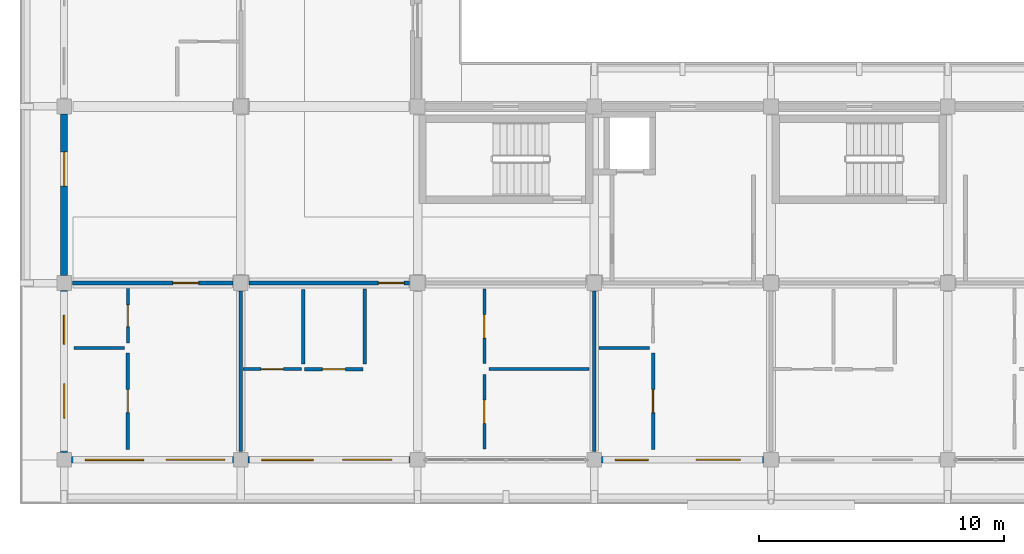
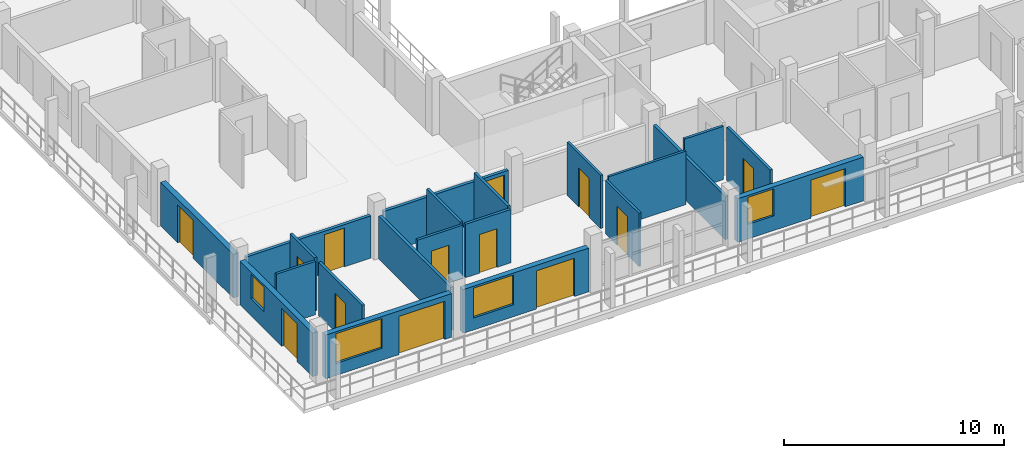
# One storey, part 113 of 157: 21 walls, 14 doors, 4 windows, 18 openings.
"""IFC4 building model written with IfcOpenShell, lengths in metres."""

from ifc_helpers import new_model, si_unit, direction, frame, frame_2d, origin, place, context, subcontext, project, spatial, rectangle, extrude, material, layer, layer_set, type_object, element, fill, save


model = new_model("IFC4")

# Units and contexts
model_context = context("Model", 3, precision=1e-05, world=origin(), true_north=direction((0.0, 1.0)))
body_context = subcontext(model_context, "Body", "Model", "MODEL_VIEW")
ifc_project = project(units=[si_unit("LENGTHUNIT", "METRE"), si_unit("AREAUNIT", "SQUARE_METRE"), si_unit("VOLUMEUNIT", "CUBIC_METRE"), si_unit("PLANEANGLEUNIT", "RADIAN"), si_unit("MASSUNIT", "GRAM", prefix="KILO")], contexts=[model_context])

# Site, building, storey
site_placement = place(None, origin())
site = spatial("IfcSite", under=ifc_project, at=site_placement, CompositionType="ELEMENT")
building_placement = place(site_placement, origin())
building = spatial("IfcBuilding", under=site, at=building_placement, Name="Suanplinth Sawtooth Commons", CompositionType="ELEMENT")
storey_placement = place(building_placement, frame((0.0, 0.0, 9.0)))
storey = spatial("IfcBuildingStorey", under=building, at=storey_placement, Name="L02", CompositionType="ELEMENT", Elevation=9.0)

# Wall, openings, door, window
ifc_material_1 = material(Name="Precast concrete C40/50", Category="concrete")
ifc_layer_1 = layer(ifc_material_1, 0.280029296875, Name="Insulated precast architectural facade wall 280mm")
ifc_layer_set_1 = layer_set([ifc_layer_1], Name="Precast concrete C40/50")
wall_type_1 = type_object("IfcWallType", Name="W-EX01", PredefinedType="ELEMENTEDWALL", material=ifc_layer_set_1)
wall_1_placement = place(storey_placement, frame((0.300048828125, 0.0, 0.0), z_axis=(0.0, 0.0, 1.0), x_axis=(1.0, 0.0, 0.0)))
wall_1 = element("IfcWall", 1, at=wall_1_placement, inside=storey, type_object=wall_type_1, Name="Facade Wall W-L02-D-S-0-0", PredefinedType="ELEMENTEDWALL", context=body_context, shape_type="SweptSolid", body=[
    extrude(rectangle(XDim=6.599853515625, YDim=0.280029296875, at=frame_2d((3.2998046875, 0.0))), origin(), (0.0, 0.0, 1.0), 2.425048828125),
])
opening_1_placement = place(wall_1_placement, frame((3.85009765625, 0.0, 0.0)))
opening_1 = element("IfcOpeningElement", 2, at=opening_1_placement, cuts=wall_1, Name="Opening ED0199", PredefinedType="OPENING", context=body_context, shape_type="SweptSolid", body=[
    extrude(rectangle(XDim=2.39990234375, YDim=2.1201171875, at=frame_2d((1.199951171875, 1.06005859375))), frame((0.0, 0.15478515625, 0.0), z_axis=(0.0, -1.0, 0.0), x_axis=(1.0, 0.0, 0.0)), (0.0, 0.0, 1.0), 0.309814453125),
])
opening_2_placement = place(wall_1_placement, frame((0.550048828125, 0.0, 0.6650390625)))
opening_2 = element("IfcOpeningElement", 3, at=opening_2_placement, cuts=wall_1, Name="Opening W0312", PredefinedType="OPENING", context=body_context, shape_type="SweptSolid", body=[
    extrude(rectangle(XDim=2.39990234375, YDim=1.64990234375, at=frame_2d((1.199951171875, 0.824951171875))), frame((0.0, 0.15478515625, 0.0), z_axis=(0.0, -1.0, 0.0), x_axis=(1.0, 0.0, 0.0)), (0.0, 0.0, 1.0), 0.309814453125),
])
ifc_material_2 = material(Name="Anodized aluminium and low-E glass", Category="aluminium")
door_type_1 = type_object("IfcDoorType", Name="SD-04", OperationType="DOUBLE_DOOR_SLIDING", PredefinedType="DOOR", material=ifc_material_2)
door_1_placement = place(opening_1_placement, frame((2.39990234375, 0.0, 0.0), z_axis=(0.0, 0.0, 1.0), x_axis=(-1.0, 0.0, 0.0)))
door_1 = element("IfcDoor", 4, at=door_1_placement, inside=storey, type_object=door_type_1, Name="Balcony Sliding Door L02-D-0", OperationType="DOUBLE_DOOR_SLIDING", OverallHeight=2.1201171875, OverallWidth=2.39990234375, PredefinedType="DOOR", context=body_context, shape_type="SweptSolid", body=[
    extrude(rectangle(XDim=2.39990234375, YDim=2.1201171875, at=frame_2d((1.199951171875, 1.06005859375))), frame((0.0, 0.02490234375, 0.0), z_axis=(0.0, -1.0, 0.0), x_axis=(1.0, 0.0, 0.0)), (0.0, 0.0, 1.0), 0.050048828125),
])
fill(opening_1, door_1)
ifc_material_3 = material(Name="Thermally broken aluminium and low-E double glazing", Category="aluminium")
window_type_1 = type_object("IfcWindowType", Name="WN-05", PartitioningType="TRIPLE_PANEL_VERTICAL", PredefinedType="WINDOW", material=ifc_material_3)
window_1_placement = place(opening_2_placement, origin())
window_1 = element("IfcWindow", 5, at=window_1_placement, inside=storey, type_object=window_type_1, Name="Apartment Window L02-D-0", OverallHeight=1.64990234375, OverallWidth=2.39990234375, PartitioningType="TRIPLE_PANEL_VERTICAL", PredefinedType="WINDOW", context=body_context, shape_type="SweptSolid", body=[
    extrude(rectangle(XDim=2.39990234375, YDim=1.64990234375, at=frame_2d((1.199951171875, 0.824951171875))), frame((0.0, 0.030029296875, 0.0), z_axis=(0.0, -1.0, 0.0), x_axis=(1.0, 0.0, 0.0)), (0.0, 0.0, 1.0), 0.06005859375),
])
fill(opening_2, window_1)

wall_2_placement = place(storey_placement, frame((0.0, 0.300048828125, 0.0), z_axis=(0.0, 0.0, 1.0), x_axis=(0.0, 1.0, 0.0)))
wall_2 = element("IfcWall", 6, at=wall_2_placement, inside=storey, type_object=wall_type_1, Name="Facade Wall W-L02-D-W-0-0", PredefinedType="ELEMENTEDWALL", context=body_context, shape_type="SweptSolid", body=[
    extrude(rectangle(XDim=6.599853515625, YDim=0.280029296875, at=frame_2d((3.2998046875, 0.0))), origin(), (0.0, 0.0, 1.0), 2.425048828125),
])
opening_3_placement = place(wall_2_placement, frame((1.39990234375, 0.0, 0.0)))
opening_3 = element("IfcOpeningElement", 7, at=opening_3_placement, cuts=wall_2, Name="Opening ED0200", PredefinedType="OPENING", context=body_context, shape_type="SweptSolid", body=[
    extrude(rectangle(XDim=1.39990234375, YDim=2.10009765625, at=frame_2d((0.699951171875, 1.050048828125))), frame((0.0, 0.15478515625, 0.0), z_axis=(0.0, -1.0, 0.0), x_axis=(1.0, 0.0, 0.0)), (0.0, 0.0, 1.0), 0.309814453125),
])
opening_4_placement = place(wall_2_placement, frame((4.39990234375, 0.0, 0.949951171875)))
opening_4 = element("IfcOpeningElement", 8, at=opening_4_placement, cuts=wall_2, Name="Opening W0313", PredefinedType="OPENING", context=body_context, shape_type="SweptSolid", body=[
    extrude(rectangle(XDim=1.199951171875, YDim=1.35009765625, at=frame_2d((0.60009765625, 0.675048828125))), frame((0.0, 0.15478515625, 0.0), z_axis=(0.0, -1.0, 0.0), x_axis=(1.0, 0.0, 0.0)), (0.0, 0.0, 1.0), 0.309814453125),
])
door_type_2 = type_object("IfcDoorType", Name="SD-07", OperationType="SLIDING_TO_RIGHT", PredefinedType="DOOR", material=ifc_material_2)
door_2_placement = place(opening_3_placement, frame((1.39990234375, 0.0, 0.0), z_axis=(0.0, 0.0, 1.0), x_axis=(-1.0, 0.0, 0.0)))
door_2 = element("IfcDoor", 9, at=door_2_placement, inside=storey, type_object=door_type_2, Name="End Balcony Sliding Door L02-D-W-0-0", OperationType="SLIDING_TO_RIGHT", OverallHeight=2.10009765625, OverallWidth=1.39990234375, PredefinedType="DOOR", context=body_context, shape_type="SweptSolid", body=[
    extrude(rectangle(XDim=1.39990234375, YDim=2.10009765625, at=frame_2d((0.699951171875, 1.050048828125))), frame((0.0, 0.02490234375, 0.0), z_axis=(0.0, -1.0, 0.0), x_axis=(1.0, 0.0, 0.0)), (0.0, 0.0, 1.0), 0.050048828125),
])
fill(opening_3, door_2)
window_type_2 = type_object("IfcWindowType", Name="WN-03", PartitioningType="SINGLE_PANEL", PredefinedType="WINDOW", material=ifc_material_3)
window_2_placement = place(opening_4_placement, origin())
window_2 = element("IfcWindow", 10, at=window_2_placement, inside=storey, type_object=window_type_2, Name="End Bedroom Window L02-D-0-0", OverallHeight=1.35009765625, OverallWidth=1.199951171875, PartitioningType="SINGLE_PANEL", PredefinedType="WINDOW", context=body_context, shape_type="SweptSolid", body=[
    extrude(rectangle(XDim=1.199951171875, YDim=1.35009765625, at=frame_2d((0.60009765625, 0.675048828125))), frame((0.0, 0.030029296875, 0.0), z_axis=(0.0, -1.0, 0.0), x_axis=(1.0, 0.0, 0.0)), (0.0, 0.0, 1.0), 0.06005859375),
])
fill(opening_4, window_2)

# Wall, opening, door
wall_3_placement = place(storey_placement, frame((0.0, 7.5, 0.0), z_axis=(0.0, 0.0, 1.0), x_axis=(0.0, 1.0, 0.0)))
wall_3 = element("IfcWall", 11, at=wall_3_placement, inside=storey, type_object=wall_type_1, Name="Facade Wall W-L02-D-W-0-1", PredefinedType="ELEMENTEDWALL", context=body_context, shape_type="SweptSolid", body=[
    extrude(rectangle(XDim=6.60009765625, YDim=0.280029296875, at=frame_2d((3.300048828125, 0.0))), origin(), (0.0, 0.0, 1.0), 2.425048828125),
])
opening_5_placement = place(wall_3_placement, frame((3.64990234375, 0.0, 0.0)))
opening_5 = element("IfcOpeningElement", 12, at=opening_5_placement, cuts=wall_3, Name="Opening ED0201", PredefinedType="OPENING", context=body_context, shape_type="SweptSolid", body=[
    extrude(rectangle(XDim=1.39990234375, YDim=2.10009765625, at=frame_2d((0.699951171875, 1.050048828125))), frame((0.0, 0.15478515625, 0.0), z_axis=(0.0, -1.0, 0.0), x_axis=(1.0, 0.0, 0.0)), (0.0, 0.0, 1.0), 0.309814453125),
])
door_3_placement = place(opening_5_placement, frame((1.39990234375, 0.0, 0.0), z_axis=(0.0, 0.0, 1.0), x_axis=(-1.0, 0.0, 0.0)))
door_3 = element("IfcDoor", 13, at=door_3_placement, inside=storey, type_object=door_type_2, Name="End Balcony Sliding Door L02-D-W-0-1", OperationType="SLIDING_TO_RIGHT", OverallHeight=2.10009765625, OverallWidth=1.39990234375, PredefinedType="DOOR", context=body_context, shape_type="SweptSolid", body=[
    extrude(rectangle(XDim=1.39990234375, YDim=2.10009765625, at=frame_2d((0.699951171875, 1.050048828125))), frame((0.0, 0.02490234375, 0.0), z_axis=(0.0, -1.0, 0.0), x_axis=(1.0, 0.0, 0.0)), (0.0, 0.0, 1.0), 0.050048828125),
])
fill(opening_5, door_3)

# Wall, openings, door, window
wall_4_placement = place(storey_placement, frame((7.5, 0.0, 0.0), z_axis=(0.0, 0.0, 1.0), x_axis=(1.0, 0.0, 0.0)))
wall_4 = element("IfcWall", 14, at=wall_4_placement, inside=storey, type_object=wall_type_1, Name="Facade Wall W-L02-D-S-1-0", PredefinedType="ELEMENTEDWALL", context=body_context, shape_type="SweptSolid", body=[
    extrude(rectangle(XDim=6.60009765625, YDim=0.280029296875, at=frame_2d((3.300048828125, 0.0))), origin(), (0.0, 0.0, 1.0), 2.425048828125),
])
opening_6_placement = place(wall_4_placement, frame((3.85009765625, 0.0, 0.0)))
opening_6 = element("IfcOpeningElement", 15, at=opening_6_placement, cuts=wall_4, Name="Opening ED0207", PredefinedType="OPENING", context=body_context, shape_type="SweptSolid", body=[
    extrude(rectangle(XDim=2.0, YDim=2.1201171875, at=frame_2d((1.0, 1.06005859375))), frame((0.0, 0.15478515625, 0.0), z_axis=(0.0, -1.0, 0.0), x_axis=(1.0, 0.0, 0.0)), (0.0, 0.0, 1.0), 0.309814453125),
])
opening_7_placement = place(wall_4_placement, frame((0.550048828125, 0.0, 0.6650390625)))
opening_7 = element("IfcOpeningElement", 16, at=opening_7_placement, cuts=wall_4, Name="Opening W0318", PredefinedType="OPENING", context=body_context, shape_type="SweptSolid", body=[
    extrude(rectangle(XDim=2.10009765625, YDim=1.64990234375, at=frame_2d((1.050048828125, 0.824951171875))), frame((0.0, 0.15478515625, 0.0), z_axis=(0.0, -1.0, 0.0), x_axis=(1.0, 0.0, 0.0)), (0.0, 0.0, 1.0), 0.309814453125),
])
door_type_3 = type_object("IfcDoorType", Name="SD-06", OperationType="DOUBLE_DOOR_SLIDING", PredefinedType="DOOR", material=ifc_material_2)
door_4_placement = place(opening_6_placement, frame((2.0, 0.0, 0.0), z_axis=(0.0, 0.0, 1.0), x_axis=(-1.0, 0.0, 0.0)))
door_4 = element("IfcDoor", 17, at=door_4_placement, inside=storey, type_object=door_type_3, Name="Balcony Sliding Door L02-D-1", OperationType="DOUBLE_DOOR_SLIDING", OverallHeight=2.1201171875, OverallWidth=2.0, PredefinedType="DOOR", context=body_context, shape_type="SweptSolid", body=[
    extrude(rectangle(XDim=2.0, YDim=2.1201171875, at=frame_2d((1.0, 1.06005859375))), frame((0.0, 0.02490234375, 0.0), z_axis=(0.0, -1.0, 0.0), x_axis=(1.0, 0.0, 0.0)), (0.0, 0.0, 1.0), 0.050048828125),
])
fill(opening_6, door_4)
window_type_3 = type_object("IfcWindowType", Name="WN-06", PartitioningType="DOUBLE_PANEL_VERTICAL", PredefinedType="WINDOW", material=ifc_material_3)
window_3_placement = place(opening_7_placement, origin())
window_3 = element("IfcWindow", 18, at=window_3_placement, inside=storey, type_object=window_type_3, Name="Apartment Window L02-D-1", OverallHeight=1.64990234375, OverallWidth=2.10009765625, PartitioningType="DOUBLE_PANEL_VERTICAL", PredefinedType="WINDOW", context=body_context, shape_type="SweptSolid", body=[
    extrude(rectangle(XDim=2.10009765625, YDim=1.64990234375, at=frame_2d((1.050048828125, 0.824951171875))), frame((0.0, 0.030029296875, 0.0), z_axis=(0.0, -1.0, 0.0), x_axis=(1.0, 0.0, 0.0)), (0.0, 0.0, 1.0), 0.06005859375),
])
fill(opening_7, window_3)

wall_5_placement = place(storey_placement, frame((21.89990234375, 0.0, 0.0), z_axis=(0.0, 0.0, 1.0), x_axis=(1.0, 0.0, 0.0)))
wall_5 = element("IfcWall", 19, at=wall_5_placement, inside=storey, type_object=wall_type_1, Name="Facade Wall W-L02-D-S-3-0", PredefinedType="ELEMENTEDWALL", context=body_context, shape_type="SweptSolid", body=[
    extrude(rectangle(XDim=6.60009765625, YDim=0.280029296875, at=frame_2d((3.300048828125, 0.0))), origin(), (0.0, 0.0, 1.0), 2.425048828125),
])
opening_8_placement = place(wall_5_placement, frame((3.85009765625, 0.0, 0.0)))
opening_8 = element("IfcOpeningElement", 20, at=opening_8_placement, cuts=wall_5, Name="Opening ED0212", PredefinedType="OPENING", context=body_context, shape_type="SweptSolid", body=[
    extrude(rectangle(XDim=1.800048828125, YDim=2.1201171875, at=frame_2d((0.89990234375, 1.06005859375))), frame((0.0, 0.15478515625, 0.0), z_axis=(0.0, -1.0, 0.0), x_axis=(1.0, 0.0, 0.0)), (0.0, 0.0, 1.0), 0.309814453125),
])
opening_9_placement = place(wall_5_placement, frame((0.550048828125, 0.0, 0.81494140625)))
opening_9 = element("IfcOpeningElement", 21, at=opening_9_placement, cuts=wall_5, Name="Opening W0321", PredefinedType="OPENING", context=body_context, shape_type="SweptSolid", body=[
    extrude(rectangle(XDim=1.35009765625, YDim=1.5, at=frame_2d((0.675048828125, 0.75))), frame((0.0, 0.15478515625, 0.0), z_axis=(0.0, -1.0, 0.0), x_axis=(1.0, 0.0, 0.0)), (0.0, 0.0, 1.0), 0.309814453125),
])
door_type_4 = type_object("IfcDoorType", Name="SD-01", OperationType="SLIDING_TO_LEFT", PredefinedType="DOOR", material=ifc_material_2)
door_5_placement = place(opening_8_placement, frame((1.800048828125, 0.0, 0.0), z_axis=(0.0, 0.0, 1.0), x_axis=(-1.0, 0.0, 0.0)))
door_5 = element("IfcDoor", 22, at=door_5_placement, inside=storey, type_object=door_type_4, Name="Balcony Sliding Door L02-D-3", OperationType="SLIDING_TO_LEFT", OverallHeight=2.1201171875, OverallWidth=1.800048828125, PredefinedType="DOOR", context=body_context, shape_type="SweptSolid", body=[
    extrude(rectangle(XDim=1.800048828125, YDim=2.1201171875, at=frame_2d((0.89990234375, 1.06005859375))), frame((0.0, 0.02490234375, 0.0), z_axis=(0.0, -1.0, 0.0), x_axis=(1.0, 0.0, 0.0)), (0.0, 0.0, 1.0), 0.050048828125),
])
fill(opening_8, door_5)
window_type_4 = type_object("IfcWindowType", Name="WN-14", PartitioningType="SINGLE_PANEL", PredefinedType="WINDOW", material=ifc_material_3)
window_4_placement = place(opening_9_placement, origin())
window_4 = element("IfcWindow", 23, at=window_4_placement, inside=storey, type_object=window_type_4, Name="Apartment Window L02-D-3", OverallHeight=1.5, OverallWidth=1.35009765625, PartitioningType="SINGLE_PANEL", PredefinedType="WINDOW", context=body_context, shape_type="SweptSolid", body=[
    extrude(rectangle(XDim=1.35009765625, YDim=1.5, at=frame_2d((0.675048828125, 0.75))), frame((0.0, 0.030029296875, 0.0), z_axis=(0.0, -1.0, 0.0), x_axis=(1.0, 0.0, 0.0)), (0.0, 0.0, 1.0), 0.06005859375),
])
fill(opening_9, window_4)

# Wall, opening, door
ifc_layer_2 = layer(ifc_material_1, 0.159912109375, Name="Fire-rated corridor and lobby wall 160mm")
ifc_layer_set_2 = layer_set([ifc_layer_2], Name="Precast concrete C40/50")
wall_type_2 = type_object("IfcWallType", Name="W-FW01", PredefinedType="PARTITIONING", material=ifc_layer_set_2)
wall_6_placement = place(storey_placement, frame((0.330078125, 7.199951171875, 0.0), z_axis=(0.0, 0.0, 1.0), x_axis=(1.0, 0.0, 0.0)))
wall_6 = element("IfcWall", 24, at=wall_6_placement, inside=storey, type_object=wall_type_2, Name="W-D-L02-U01-COR", PredefinedType="PARTITIONING", context=body_context, shape_type="SweptSolid", body=[
    extrude(rectangle(XDim=6.5400390625, YDim=0.159912109375, at=frame_2d((3.27001953125, 0.0))), origin(), (0.0, 0.0, 1.0), 2.344970703125),
])
opening_10_placement = place(wall_6_placement, frame((4.094970703125, 0.0, 0.0)))
opening_10 = element("IfcOpeningElement", 25, at=opening_10_placement, cuts=wall_6, Name="Opening FD0829", PredefinedType="OPENING", context=body_context, shape_type="SweptSolid", body=[
    extrude(rectangle(XDim=1.050048828125, YDim=2.14990234375, at=frame_2d((0.52490234375, 1.074951171875))), frame((0.0, 0.0947265625, 0.0), z_axis=(0.0, -1.0, 0.0), x_axis=(1.0, 0.0, 0.0)), (0.0, 0.0, 1.0), 0.189697265625),
])
ifc_material_4 = material(Name="Teak hardwood fire-rated door assembly", Category="wood")
door_type_5 = type_object("IfcDoorType", Name="FD-04", OperationType="NOTDEFINED", PredefinedType="DOOR", material=ifc_material_4)
door_6_placement = place(opening_10_placement, frame((1.050048828125, 0.0, 0.0), z_axis=(0.0, 0.0, 1.0), x_axis=(-1.0, 0.0, 0.0)))
door_6 = element("IfcDoor", 26, at=door_6_placement, inside=storey, type_object=door_type_5, Name="Unit Entrance Door FD0829", OperationType="SINGLE_SWING_LEFT", OverallHeight=2.14990234375, OverallWidth=1.050048828125, PredefinedType="DOOR", context=body_context, shape_type="SweptSolid", body=[
    extrude(rectangle(XDim=1.050048828125, YDim=2.14990234375, at=frame_2d((0.52490234375, 1.074951171875))), frame((0.0, 0.02490234375, 0.0), z_axis=(0.0, -1.0, 0.0), x_axis=(1.0, 0.0, 0.0)), (0.0, 0.0, 1.0), 0.050048828125),
])
fill(opening_10, door_6)

wall_7_placement = place(storey_placement, frame((7.530029296875, 7.199951171875, 0.0), z_axis=(0.0, 0.0, 1.0), x_axis=(1.0, 0.0, 0.0)))
wall_7 = element("IfcWall", 27, at=wall_7_placement, inside=storey, type_object=wall_type_2, Name="W-D-L02-U02-COR-S1", PredefinedType="PARTITIONING", context=body_context, shape_type="SweptSolid", body=[
    extrude(rectangle(XDim=6.5400390625, YDim=0.159912109375, at=frame_2d((3.27001953125, 0.0))), origin(), (0.0, 0.0, 1.0), 2.344970703125),
])
opening_11_placement = place(wall_7_placement, frame((5.27490234375, 0.0, 0.0)))
opening_11 = element("IfcOpeningElement", 28, at=opening_11_placement, cuts=wall_7, Name="Opening FD0832", PredefinedType="OPENING", context=body_context, shape_type="SweptSolid", body=[
    extrude(rectangle(XDim=1.050048828125, YDim=2.14990234375, at=frame_2d((0.52490234375, 1.074951171875))), frame((0.0, 0.0947265625, 0.0), z_axis=(0.0, -1.0, 0.0), x_axis=(1.0, 0.0, 0.0)), (0.0, 0.0, 1.0), 0.189697265625),
])
door_7_placement = place(opening_11_placement, frame((1.050048828125, 0.0, 0.0), z_axis=(0.0, 0.0, 1.0), x_axis=(-1.0, 0.0, 0.0)))
door_7 = element("IfcDoor", 29, at=door_7_placement, inside=storey, type_object=door_type_5, Name="Unit Entrance Door FD0832", OperationType="SINGLE_SWING_RIGHT", OverallHeight=2.14990234375, OverallWidth=1.050048828125, PredefinedType="DOOR", context=body_context, shape_type="SweptSolid", body=[
    extrude(rectangle(XDim=1.050048828125, YDim=2.14990234375, at=frame_2d((0.52490234375, 1.074951171875))), frame((0.0, 0.02490234375, 0.0), z_axis=(0.0, -1.0, 0.0), x_axis=(1.0, 0.0, 0.0)), (0.0, 0.0, 1.0), 0.050048828125),
])
fill(opening_11, door_7)

# Walls
ifc_layer_3 = layer(ifc_material_1, 0.14990234375, Name="Acoustic precast party demising wall 150mm")
ifc_layer_set_3 = layer_set([ifc_layer_3], Name="Precast concrete C40/50")
wall_type_3 = type_object("IfcWallType", Name="W-FW02", PredefinedType="PARTITIONING", material=ifc_layer_set_3)
for number, where, z_axis, x_axis, name in (
    (30, (7.199951171875, 0.330078125, 0.0), (0.0, 0.0, 1.0), (0.0, 1.0, 0.0), "W-D-L02-U01-PTY"),
    (31, (21.60009765625, 0.330078125, 0.0), (0.0, 0.0, 1.0), (0.0, 1.0, 0.0), "W-D-L02-U02-PTY"),
):
    element("IfcWall", number, at=place(storey_placement, frame(where, z_axis=z_axis, x_axis=x_axis)), inside=storey, type_object=wall_type_3, Name=name, PredefinedType="PARTITIONING", context=body_context, shape_type="SweptSolid", body=[
        extrude(rectangle(XDim=6.5400390625, YDim=0.14990234375, at=frame_2d((3.27001953125, 0.0))), origin(), (0.0, 0.0, 1.0), 2.39501953125),
    ])

# Wall, opening, door
ifc_material_5 = material(Name="Gypsum plasterboard on steel stud", Category="steel")
ifc_layer_4 = layer(ifc_material_5, 0.139892578125, Name="Fire-rated kitchen partition 140mm")
ifc_layer_set_4 = layer_set([ifc_layer_4], Name="Gypsum plasterboard on steel stud")
wall_type_4 = type_object("IfcWallType", Name="W-PT01", PredefinedType="PARTITIONING", material=ifc_layer_set_4)
wall_8_placement = place(storey_placement, frame((2.594970703125, 0.419921875, 0.0), z_axis=(0.0, 0.0, 1.0), x_axis=(0.0, 1.0, 0.0)))
wall_8 = element("IfcWall", 32, at=wall_8_placement, inside=storey, type_object=wall_type_4, Name="W-D-L02-U01-KITE", PredefinedType="PARTITIONING", context=body_context, shape_type="SweptSolid", body=[
    extrude(rectangle(XDim=3.940185546875, YDim=0.139892578125, at=frame_2d((1.97021484375, 0.0))), origin(), (0.0, 0.0, 1.0), 2.9599609375),
])
opening_12_placement = place(wall_8_placement, frame((1.5048828125, 0.0, 0.0)))
opening_12 = element("IfcOpeningElement", 33, at=opening_12_placement, cuts=wall_8, Name="Opening D0831", PredefinedType="OPENING", context=body_context, shape_type="SweptSolid", body=[
    extrude(rectangle(XDim=0.929931640625, YDim=2.139892578125, at=frame_2d((0.46484375, 1.06982421875))), frame((0.0, 0.0849609375, 0.0), z_axis=(0.0, -1.0, 0.0), x_axis=(1.0, 0.0, 0.0)), (0.0, 0.0, 1.0), 0.169677734375),
])
ifc_material_6 = material(Name="Teak hardwood", Category="wood")
door_type_6 = type_object("IfcDoorType", Name="D-19", OperationType="NOTDEFINED", PredefinedType="DOOR", material=ifc_material_6)
door_8_placement = place(opening_12_placement, origin())
door_8 = element("IfcDoor", 34, at=door_8_placement, inside=storey, type_object=door_type_6, Name="Kitchen Door D0831", OperationType="SINGLE_SWING_LEFT", OverallHeight=2.139892578125, OverallWidth=0.929931640625, PredefinedType="DOOR", context=body_context, shape_type="SweptSolid", body=[
    extrude(rectangle(XDim=0.929931640625, YDim=2.139892578125, at=frame_2d((0.46484375, 1.06982421875))), frame((0.0, 0.02490234375, 0.0), z_axis=(0.0, -1.0, 0.0), x_axis=(1.0, 0.0, 0.0)), (0.0, 0.0, 1.0), 0.050048828125),
])
fill(opening_12, door_8)

wall_9_placement = place(storey_placement, frame((9.800048828125, 3.68994140625, 0.0), z_axis=(0.0, 0.0, 1.0), x_axis=(1.0, 0.0, 0.0)))
wall_9 = element("IfcWall", 35, at=wall_9_placement, inside=storey, type_object=wall_type_4, Name="W-D-L02-U02-KIT1", PredefinedType="PARTITIONING", context=body_context, shape_type="SweptSolid", body=[
    extrude(rectangle(XDim=2.3798828125, YDim=0.139892578125, at=frame_2d((1.18994140625, 0.0))), origin(), (0.0, 0.0, 1.0), 2.9599609375),
])
opening_13_placement = place(wall_9_placement, frame((0.72509765625, 0.0, 0.0)))
opening_13 = element("IfcOpeningElement", 36, at=opening_13_placement, cuts=wall_9, Name="Opening D0834", PredefinedType="OPENING", context=body_context, shape_type="SweptSolid", body=[
    extrude(rectangle(XDim=0.929931640625, YDim=2.139892578125, at=frame_2d((0.46484375, 1.06982421875))), frame((0.0, 0.0849609375, 0.0), z_axis=(0.0, -1.0, 0.0), x_axis=(1.0, 0.0, 0.0)), (0.0, 0.0, 1.0), 0.169677734375),
])
door_9_placement = place(opening_13_placement, origin())
door_9 = element("IfcDoor", 37, at=door_9_placement, inside=storey, type_object=door_type_6, Name="Kitchen Door D0834", OperationType="SINGLE_SWING_RIGHT", OverallHeight=2.139892578125, OverallWidth=0.929931640625, PredefinedType="DOOR", context=body_context, shape_type="SweptSolid", body=[
    extrude(rectangle(XDim=0.929931640625, YDim=2.139892578125, at=frame_2d((0.46484375, 1.06982421875))), frame((0.0, 0.02490234375, 0.0), z_axis=(0.0, -1.0, 0.0), x_axis=(1.0, 0.0, 0.0)), (0.0, 0.0, 1.0), 0.050048828125),
])
fill(opening_13, door_9)

# Wall
wall_10_placement = place(storey_placement, frame((12.25, 3.909912109375, 0.0), z_axis=(0.0, 0.0, 1.0), x_axis=(0.0, 1.0, 0.0)))
element("IfcWall", 38, at=wall_10_placement, inside=storey, type_object=wall_type_4, Name="W-D-L02-U02-KIT2", PredefinedType="PARTITIONING", context=body_context, shape_type="SweptSolid", body=[
    extrude(rectangle(XDim=3.06005859375, YDim=0.139892578125, at=frame_2d((1.530029296875, 0.0))), origin(), (0.0, 0.0, 1.0), 2.9599609375),
])

# Wall, opening, door
wall_11_placement = place(storey_placement, frame((23.9951171875, 0.419921875, 0.0), z_axis=(0.0, 0.0, 1.0), x_axis=(0.0, 1.0, 0.0)))
wall_11 = element("IfcWall", 39, at=wall_11_placement, inside=storey, type_object=wall_type_4, Name="W-D-L02-U03-KITE", PredefinedType="PARTITIONING", context=body_context, shape_type="SweptSolid", body=[
    extrude(rectangle(XDim=3.940185546875, YDim=0.139892578125, at=frame_2d((1.97021484375, 0.0))), origin(), (0.0, 0.0, 1.0), 2.9599609375),
])
opening_14_placement = place(wall_11_placement, frame((1.5048828125, 0.0, 0.0)))
opening_14 = element("IfcOpeningElement", 40, at=opening_14_placement, cuts=wall_11, Name="Opening D0839", PredefinedType="OPENING", context=body_context, shape_type="SweptSolid", body=[
    extrude(rectangle(XDim=0.929931640625, YDim=2.139892578125, at=frame_2d((0.46484375, 1.06982421875))), frame((0.0, 0.0849609375, 0.0), z_axis=(0.0, -1.0, 0.0), x_axis=(1.0, 0.0, 0.0)), (0.0, 0.0, 1.0), 0.169677734375),
])
door_10_placement = place(opening_14_placement, origin())
door_10 = element("IfcDoor", 41, at=door_10_placement, inside=storey, type_object=door_type_6, Name="Kitchen Door D0839", OperationType="SINGLE_SWING_LEFT", OverallHeight=2.139892578125, OverallWidth=0.929931640625, PredefinedType="DOOR", context=body_context, shape_type="SweptSolid", body=[
    extrude(rectangle(XDim=0.929931640625, YDim=2.139892578125, at=frame_2d((0.46484375, 1.06982421875))), frame((0.0, 0.02490234375, 0.0), z_axis=(0.0, -1.0, 0.0), x_axis=(1.0, 0.0, 0.0)), (0.0, 0.0, 1.0), 0.050048828125),
])
fill(opening_14, door_10)

# Wall
ifc_layer_5 = layer(ifc_material_5, 0.1298828125, Name="Moisture-resistant bathroom partition 130mm")
ifc_layer_set_5 = layer_set([ifc_layer_5], Name="Gypsum plasterboard on steel stud")
wall_type_5 = type_object("IfcWallType", Name="W-PT02", PredefinedType="PARTITIONING", material=ifc_layer_set_5)
wall_12_placement = place(storey_placement, frame((0.39990234375, 4.56005859375, 0.0), z_axis=(0.0, 0.0, 1.0), x_axis=(1.0, 0.0, 0.0)))
element("IfcWall", 42, at=wall_12_placement, inside=storey, type_object=wall_type_5, Name="W-D-L02-U01-STDIV", PredefinedType="PARTITIONING", context=body_context, shape_type="SweptSolid", body=[
    extrude(rectangle(XDim=2.050048828125, YDim=0.1298828125, at=frame_2d((1.02490234375, 0.0))), origin(), (0.0, 0.0, 1.0), 2.9599609375),
])

# Wall, opening, door
wall_13_placement = place(storey_placement, frame((2.594970703125, 4.760009765625, 0.0), z_axis=(0.0, 0.0, 1.0), x_axis=(0.0, 1.0, 0.0)))
wall_13 = element("IfcWall", 43, at=wall_13_placement, inside=storey, type_object=wall_type_5, Name="W-D-L02-U01-BTHE", PredefinedType="PARTITIONING", context=body_context, shape_type="SweptSolid", body=[
    extrude(rectangle(XDim=2.219970703125, YDim=0.1298828125, at=frame_2d((1.10986328125, 0.0))), origin(), (0.0, 0.0, 1.0), 2.9599609375),
])
opening_15_placement = place(wall_13_placement, frame((0.669921875, 0.0, 0.0)))
opening_15 = element("IfcOpeningElement", 44, at=opening_15_placement, cuts=wall_13, Name="Opening D0830", PredefinedType="OPENING", context=body_context, shape_type="SweptSolid", body=[
    extrude(rectangle(XDim=0.8798828125, YDim=2.10009765625, at=frame_2d((0.43994140625, 1.050048828125))), frame((0.0, 0.079833984375, 0.0), z_axis=(0.0, -1.0, 0.0), x_axis=(1.0, 0.0, 0.0)), (0.0, 0.0, 1.0), 0.15966796875),
])
door_type_7 = type_object("IfcDoorType", Name="D-14", OperationType="NOTDEFINED", PredefinedType="DOOR", material=ifc_material_6)
door_11_placement = place(opening_15_placement, origin())
door_11 = element("IfcDoor", 45, at=door_11_placement, inside=storey, type_object=door_type_7, Name="Bathroom Door D0830", OperationType="SINGLE_SWING_RIGHT", OverallHeight=2.10009765625, OverallWidth=0.8798828125, PredefinedType="DOOR", context=body_context, shape_type="SweptSolid", body=[
    extrude(rectangle(XDim=0.8798828125, YDim=2.10009765625, at=frame_2d((0.43994140625, 1.050048828125))), frame((0.0, 0.02490234375, 0.0), z_axis=(0.0, -1.0, 0.0), x_axis=(1.0, 0.0, 0.0)), (0.0, 0.0, 1.0), 0.050048828125),
])
fill(opening_15, door_11)

wall_14_placement = place(storey_placement, frame((7.280029296875, 3.695068359375, 0.0), z_axis=(0.0, 0.0, 1.0), x_axis=(1.0, 0.0, 0.0)))
wall_14 = element("IfcWall", 46, at=wall_14_placement, inside=storey, type_object=wall_type_5, Name="W-D-L02-U02-BTH1", PredefinedType="PARTITIONING", context=body_context, shape_type="SweptSolid", body=[
    extrude(rectangle(XDim=2.39990234375, YDim=0.1298828125, at=frame_2d((1.199951171875, 0.0))), origin(), (0.0, 0.0, 1.0), 2.9599609375),
])
opening_16_placement = place(wall_14_placement, frame((0.75, 0.0, 0.0)))
opening_16 = element("IfcOpeningElement", 47, at=opening_16_placement, cuts=wall_14, Name="Opening D0833", PredefinedType="OPENING", context=body_context, shape_type="SweptSolid", body=[
    extrude(rectangle(XDim=0.89990234375, YDim=2.10009765625, at=frame_2d((0.449951171875, 1.050048828125))), frame((0.0, 0.079833984375, 0.0), z_axis=(0.0, -1.0, 0.0), x_axis=(1.0, 0.0, 0.0)), (0.0, 0.0, 1.0), 0.15966796875),
])
door_type_8 = type_object("IfcDoorType", Name="D-01", OperationType="NOTDEFINED", PredefinedType="DOOR", material=ifc_material_6)
door_12_placement = place(opening_16_placement, origin())
door_12 = element("IfcDoor", 48, at=door_12_placement, inside=storey, type_object=door_type_8, Name="Bathroom Door D0833", OperationType="SINGLE_SWING_LEFT", OverallHeight=2.10009765625, OverallWidth=0.89990234375, PredefinedType="DOOR", context=body_context, shape_type="SweptSolid", body=[
    extrude(rectangle(XDim=0.89990234375, YDim=2.10009765625, at=frame_2d((0.449951171875, 1.050048828125))), frame((0.0, 0.02490234375, 0.0), z_axis=(0.0, -1.0, 0.0), x_axis=(1.0, 0.0, 0.0)), (0.0, 0.0, 1.0), 0.050048828125),
])
fill(opening_16, door_12)

# Walls
wall_15_placement = place(storey_placement, frame((9.7451171875, 3.89990234375, 0.0), z_axis=(0.0, 0.0, 1.0), x_axis=(0.0, 1.0, 0.0)))
element("IfcWall", 49, at=wall_15_placement, inside=storey, type_object=wall_type_5, Name="W-D-L02-U02-BTH2", PredefinedType="PARTITIONING", context=body_context, shape_type="SweptSolid", body=[
    extrude(rectangle(XDim=3.0400390625, YDim=0.1298828125, at=frame_2d((1.52001953125, 0.0))), origin(), (0.0, 0.0, 1.0), 2.9599609375),
])
wall_16_placement = place(storey_placement, frame((21.800048828125, 4.56005859375, 0.0), z_axis=(0.0, 0.0, 1.0), x_axis=(1.0, 0.0, 0.0)))
element("IfcWall", 50, at=wall_16_placement, inside=storey, type_object=wall_type_5, Name="W-D-L02-U03-STDIV", PredefinedType="PARTITIONING", context=body_context, shape_type="SweptSolid", body=[
    extrude(rectangle(XDim=2.050048828125, YDim=0.1298828125, at=frame_2d((1.02490234375, 0.0))), origin(), (0.0, 0.0, 1.0), 2.9599609375),
])

# Wall, opening, door
ifc_layer_6 = layer(ifc_material_5, 0.1201171875, Name="Acoustic bedroom partition 120mm")
ifc_layer_set_6 = layer_set([ifc_layer_6], Name="Gypsum plasterboard on steel stud")
wall_type_6 = type_object("IfcWallType", Name="W-PT03", PredefinedType="PARTITIONING", material=ifc_layer_set_6)
wall_17_placement = place(storey_placement, frame((17.1201171875, 0.43994140625, 0.0), z_axis=(0.0, 0.0, 1.0), x_axis=(0.0, 1.0, 0.0)))
wall_17 = element("IfcWall", 51, at=wall_17_placement, inside=storey, type_object=wall_type_6, Name="W-D-L02-U02-BED1", PredefinedType="PARTITIONING", context=body_context, shape_type="SweptSolid", body=[
    extrude(rectangle(XDim=3.0400390625, YDim=0.1201171875, at=frame_2d((1.52001953125, 0.0))), origin(), (0.0, 0.0, 1.0), 2.9599609375),
])
opening_17_placement = place(wall_17_placement, frame((1.044921875, 0.0, 0.0)))
opening_17 = element("IfcOpeningElement", 52, at=opening_17_placement, cuts=wall_17, Name="Opening D0835", PredefinedType="OPENING", context=body_context, shape_type="SweptSolid", body=[
    extrude(rectangle(XDim=0.949951171875, YDim=2.14990234375, at=frame_2d((0.47509765625, 1.074951171875))), frame((0.0, 0.074951171875, 0.0), z_axis=(0.0, -1.0, 0.0), x_axis=(1.0, 0.0, 0.0)), (0.0, 0.0, 1.0), 0.14990234375),
])
door_type_9 = type_object("IfcDoorType", Name="D-03", OperationType="NOTDEFINED", PredefinedType="DOOR", material=ifc_material_6)
door_13_placement = place(opening_17_placement, frame((0.949951171875, 0.0, 0.0), z_axis=(0.0, 0.0, 1.0), x_axis=(-1.0, 0.0, 0.0)))
door_13 = element("IfcDoor", 53, at=door_13_placement, inside=storey, type_object=door_type_9, Name="Bedroom Door D0835", OperationType="SINGLE_SWING_LEFT", OverallHeight=2.14990234375, OverallWidth=0.949951171875, PredefinedType="DOOR", context=body_context, shape_type="SweptSolid", body=[
    extrude(rectangle(XDim=0.949951171875, YDim=2.14990234375, at=frame_2d((0.47509765625, 1.074951171875))), frame((0.0, 0.02490234375, 0.0), z_axis=(0.0, -1.0, 0.0), x_axis=(1.0, 0.0, 0.0)), (0.0, 0.0, 1.0), 0.050048828125),
])
fill(opening_17, door_13)

wall_18_placement = place(storey_placement, frame((17.1201171875, 3.919921875, 0.0), z_axis=(0.0, 0.0, 1.0), x_axis=(0.0, 1.0, 0.0)))
wall_18 = element("IfcWall", 54, at=wall_18_placement, inside=storey, type_object=wall_type_6, Name="W-D-L02-U02-BED2", PredefinedType="PARTITIONING", context=body_context, shape_type="SweptSolid", body=[
    extrude(rectangle(XDim=3.0400390625, YDim=0.1201171875, at=frame_2d((1.52001953125, 0.0))), origin(), (0.0, 0.0, 1.0), 2.9599609375),
])
opening_18_placement = place(wall_18_placement, frame((1.0400390625, 0.0, 0.0)))
opening_18 = element("IfcOpeningElement", 55, at=opening_18_placement, cuts=wall_18, Name="Opening D0836", PredefinedType="OPENING", context=body_context, shape_type="SweptSolid", body=[
    extrude(rectangle(XDim=0.9599609375, YDim=2.14990234375, at=frame_2d((0.47998046875, 1.074951171875))), frame((0.0, 0.074951171875, 0.0), z_axis=(0.0, -1.0, 0.0), x_axis=(1.0, 0.0, 0.0)), (0.0, 0.0, 1.0), 0.14990234375),
])
door_type_10 = type_object("IfcDoorType", Name="D-13", OperationType="NOTDEFINED", PredefinedType="DOOR", material=ifc_material_6)
door_14_placement = place(opening_18_placement, frame((0.9599609375, 0.0, 0.0), z_axis=(0.0, 0.0, 1.0), x_axis=(-1.0, 0.0, 0.0)))
door_14 = element("IfcDoor", 56, at=door_14_placement, inside=storey, type_object=door_type_10, Name="Second Bedroom Door D0836", OperationType="SINGLE_SWING_RIGHT", OverallHeight=2.14990234375, OverallWidth=0.9599609375, PredefinedType="DOOR", context=body_context, shape_type="SweptSolid", body=[
    extrude(rectangle(XDim=0.9599609375, YDim=2.14990234375, at=frame_2d((0.47998046875, 1.074951171875))), frame((0.0, 0.02490234375, 0.0), z_axis=(0.0, -1.0, 0.0), x_axis=(1.0, 0.0, 0.0)), (0.0, 0.0, 1.0), 0.050048828125),
])
fill(opening_18, door_14)

# Wall
ifc_layer_7 = layer(ifc_material_5, 0.125, Name="Acoustic study partition 125mm")
ifc_layer_set_7 = layer_set([ifc_layer_7], Name="Gypsum plasterboard on steel stud")
wall_type_7 = type_object("IfcWallType", Name="W-PT06", PredefinedType="PARTITIONING", material=ifc_layer_set_7)
wall_19_placement = place(storey_placement, frame((17.320068359375, 3.699951171875, 0.0), z_axis=(0.0, 0.0, 1.0), x_axis=(1.0, 0.0, 0.0)))
element("IfcWall", 57, at=wall_19_placement, inside=storey, type_object=wall_type_7, Name="W-D-L02-U02-BEDDIV", PredefinedType="PARTITIONING", context=body_context, shape_type="SweptSolid", body=[
    extrude(rectangle(XDim=4.059814453125, YDim=0.125, at=frame_2d((2.02978515625, 0.0))), origin(), (0.0, 0.0, 1.0), 2.9599609375),
])

save(model, "model.ifc")
